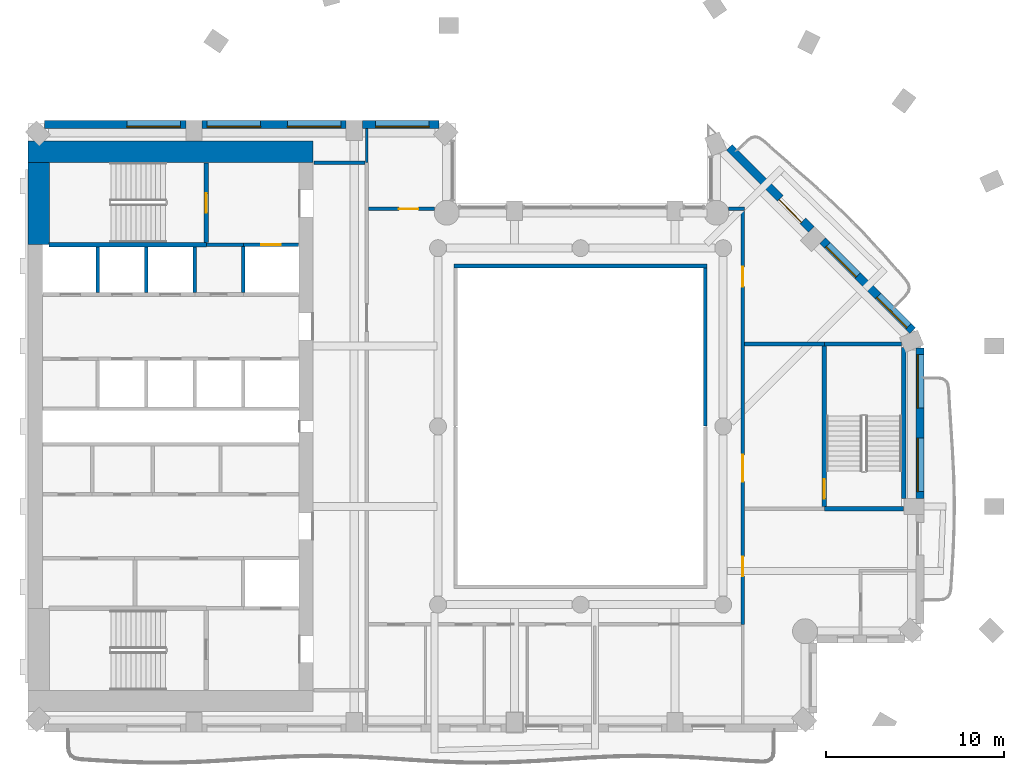
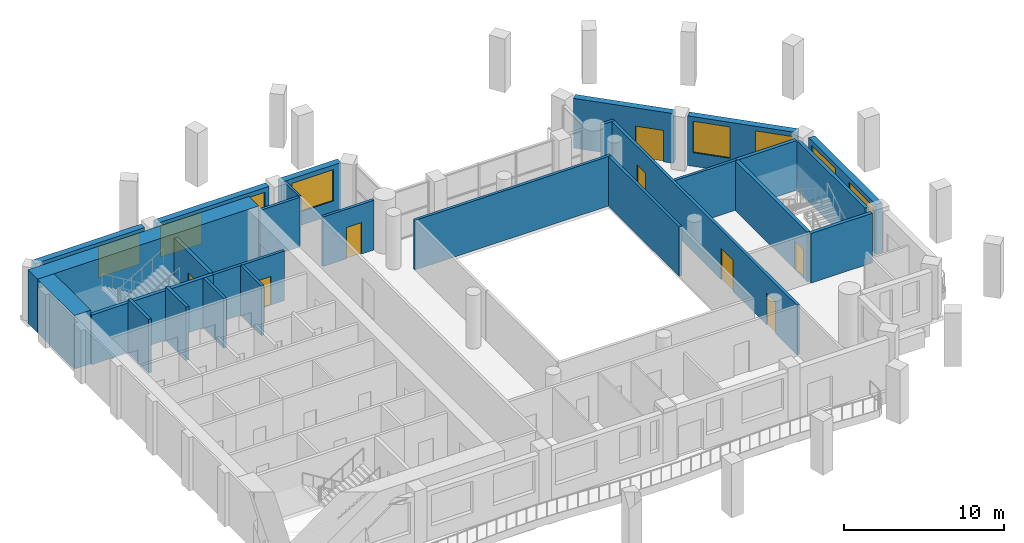
# One storey, part 6 of 13: 28 walls, 8 doors, 8 windows, 16 openings.
"""IFC4 building model written with IfcOpenShell, lengths in metres."""

from ifc_helpers import new_model, si_unit, direction, frame, frame_2d, origin, place, context, subcontext, project, spatial, rectangle, extrude, material, layer, layer_set, type_object, element, fill, save


model = new_model("IFC4")

# Units and contexts
model_context = context("Model", 3, precision=1e-05, world=origin(), true_north=direction((0.0, 1.0)))
body_context = subcontext(model_context, "Body", "Model", "MODEL_VIEW")
ifc_project = project(units=[si_unit("LENGTHUNIT", "METRE"), si_unit("AREAUNIT", "SQUARE_METRE"), si_unit("VOLUMEUNIT", "CUBIC_METRE"), si_unit("PLANEANGLEUNIT", "RADIAN"), si_unit("MASSUNIT", "GRAM", prefix="KILO")], contexts=[model_context])

# Site, building, storey
site_placement = place(None, origin())
site = spatial("IfcSite", under=ifc_project, at=site_placement, CompositionType="ELEMENT")
building_placement = place(site_placement, origin())
building = spatial("IfcBuilding", under=site, at=building_placement, Name="Cypress Arch Tower", CompositionType="ELEMENT")
storey_placement = place(building_placement, frame((0.0, 0.0, 189.199951171875)))
storey = spatial("IfcBuildingStorey", under=building, at=storey_placement, Name="L41", CompositionType="ELEMENT", Elevation=189.199951171875)

# Wall, openings, windows
ifc_material_1 = material(Name="Brick (red buff blend)", Category="masonry")
ifc_layer_1 = layer(ifc_material_1, 0.449951171875)
ifc_layer_set_1 = layer_set([ifc_layer_1], Name="Brick pier and spandrel wall BW450")
wall_type_1 = type_object("IfcWallType", Name="Brick pier and spandrel wall BW450", PredefinedType="SOLIDWALL", material=ifc_layer_set_1)
wall_1_placement = place(storey_placement, frame((20.02490234375, -4.050048828125, 0.0), z_axis=(0.0, 0.0, 1.0), x_axis=(0.0, 1.0, 0.0)))
wall_1 = element("IfcWall", 1, at=wall_1_placement, inside=storey, type_object=wall_type_1, Name="Brick wall L41 B04.1", PredefinedType="SOLIDWALL", context=body_context, shape_type="SweptSolid", body=[
    extrude(rectangle(XDim=8.438720703125, YDim=0.449951171875, at=frame_2d((4.21923828125, 0.0))), origin(), (0.0, 0.0, 1.0), 3.800048828125),
])
opening_1_placement = place(wall_1_placement, frame((0.39404296875, 0.0, 1.050048828125)))
opening_1 = element("IfcOpeningElement", 2, at=opening_1_placement, cuts=wall_1, Name="Opening W300OD", PredefinedType="OPENING", context=body_context, shape_type="SweptSolid", body=[
    extrude(rectangle(XDim=3.0, YDim=2.39990234375, at=frame_2d((1.5, 1.199951171875))), frame((0.0, 0.23486328125, 0.0), z_axis=(0.0, -1.0, 0.0), x_axis=(1.0, 0.0, 0.0)), (0.0, 0.0, 1.0), 0.469970703125),
])
opening_2_placement = place(wall_1_placement, frame((5.081787109375, 0.0, 1.050048828125)))
opening_2 = element("IfcOpeningElement", 3, at=opening_2_placement, cuts=wall_1, Name="Opening W300OD", PredefinedType="OPENING", context=body_context, shape_type="SweptSolid", body=[
    extrude(rectangle(XDim=3.0, YDim=2.39990234375, at=frame_2d((1.5, 1.199951171875))), frame((0.0, 0.23486328125, 0.0), z_axis=(0.0, -1.0, 0.0), x_axis=(1.0, 0.0, 0.0)), (0.0, 0.0, 1.0), 0.469970703125),
])
ifc_material_2 = material(Name="Anodised aluminium, bronze finish, laminated low-emissivity double glazing, large-missile impact rated", Category="aluminium")
window_type_1 = type_object("IfcWindowType", Name="Window Office 3000x2400 debris-rated", PartitioningType="SINGLE_PANEL", PredefinedType="WINDOW", material=ifc_material_2)
window_1_placement = place(opening_1_placement, origin())
window_1 = element("IfcWindow", 4, at=window_1_placement, inside=storey, type_object=window_type_1, Name="Window L41 B04.1.1", OverallHeight=2.39990234375, OverallWidth=3.0, PartitioningType="SINGLE_PANEL", PredefinedType="WINDOW", context=body_context, shape_type="SweptSolid", body=[
    extrude(rectangle(XDim=3.0, YDim=2.39990234375, at=frame_2d((1.5, 1.199951171875))), frame((0.0, 0.135009765625, 0.0), z_axis=(0.0, -1.0, 0.0), x_axis=(1.0, 0.0, 0.0)), (0.0, 0.0, 1.0), 0.06005859375),
])
fill(opening_1, window_1)
window_2_placement = place(opening_2_placement, origin())
window_2 = element("IfcWindow", 5, at=window_2_placement, inside=storey, type_object=window_type_1, Name="Window L41 B04.1.2", OverallHeight=2.39990234375, OverallWidth=3.0, PartitioningType="SINGLE_PANEL", PredefinedType="WINDOW", context=body_context, shape_type="SweptSolid", body=[
    extrude(rectangle(XDim=3.0, YDim=2.39990234375, at=frame_2d((1.5, 1.199951171875))), frame((0.0, 0.135009765625, 0.0), z_axis=(0.0, -1.0, 0.0), x_axis=(1.0, 0.0, 0.0)), (0.0, 0.0, 1.0), 0.06005859375),
])
fill(opening_2, window_2)

wall_2_placement = place(storey_placement, frame((19.61474609375, 5.379150390625, 0.0), z_axis=(0.0, 0.0, 1.0), x_axis=(-0.707089646058, 0.7071239159, 0.0)))
wall_2 = element("IfcWall", 6, at=wall_2_placement, inside=storey, type_object=wall_type_1, Name="Brick wall L41 B05.0", PredefinedType="SOLIDWALL", context=body_context, shape_type="SweptSolid", body=[
    extrude(rectangle(XDim=7.1240234375, YDim=0.449951171875, at=frame_2d((3.56201171875, 0.0))), origin(), (0.0, 0.0, 1.0), 3.800048828125),
])
opening_3_placement = place(wall_2_placement, frame((0.328125, 0.0, 1.050048828125)))
opening_3 = element("IfcOpeningElement", 7, at=opening_3_placement, cuts=wall_2, Name="Opening W240OD", PredefinedType="OPENING", context=body_context, shape_type="SweptSolid", body=[
    extrude(rectangle(XDim=2.39990234375, YDim=2.39990234375, at=frame_2d((1.199951171875, 1.199951171875))), frame((0.0, 0.23486328125, 0.0), z_axis=(0.0, -1.0, 0.0), x_axis=(1.0, 0.0, 0.0)), (0.0, 0.0, 1.0), 0.469970703125),
])
opening_4_placement = place(wall_2_placement, frame((4.358642578125, 0.0, 1.050048828125)))
opening_4 = element("IfcOpeningElement", 8, at=opening_4_placement, cuts=wall_2, Name="Opening W240OD", PredefinedType="OPENING", context=body_context, shape_type="SweptSolid", body=[
    extrude(rectangle(XDim=2.39990234375, YDim=2.39990234375, at=frame_2d((1.199951171875, 1.199951171875))), frame((0.0, 0.23486328125, 0.0), z_axis=(0.0, -1.0, 0.0), x_axis=(1.0, 0.0, 0.0)), (0.0, 0.0, 1.0), 0.469970703125),
])
ifc_material_3 = material(Name="Anodised aluminium, bronze finish, laminated low-emissivity double glazing, large-missile impact rated", Category="aluminium")
window_type_2 = type_object("IfcWindowType", Name="Window Office 2400x2400 debris-rated", PartitioningType="SINGLE_PANEL", PredefinedType="WINDOW", material=ifc_material_3)
window_3_placement = place(opening_3_placement, origin())
window_3 = element("IfcWindow", 9, at=window_3_placement, inside=storey, type_object=window_type_2, Name="Window L41 B05.0.1", OverallHeight=2.39990234375, OverallWidth=2.39990234375, PartitioningType="SINGLE_PANEL", PredefinedType="WINDOW", context=body_context, shape_type="SweptSolid", body=[
    extrude(rectangle(XDim=2.39990234375, YDim=2.39990234375, at=frame_2d((1.199951171875, 1.199951171875))), frame((0.0, 0.135009765625, 0.0), z_axis=(0.0, -1.0, 0.0), x_axis=(1.0, 0.0, 0.0)), (0.0, 0.0, 1.0), 0.06005859375),
])
fill(opening_3, window_3)
window_4_placement = place(opening_4_placement, origin())
window_4 = element("IfcWindow", 10, at=window_4_placement, inside=storey, type_object=window_type_2, Name="Window L41 B05.0.2", OverallHeight=2.39990234375, OverallWidth=2.39990234375, PartitioningType="SINGLE_PANEL", PredefinedType="WINDOW", context=body_context, shape_type="SweptSolid", body=[
    extrude(rectangle(XDim=2.39990234375, YDim=2.39990234375, at=frame_2d((1.199951171875, 1.199951171875))), frame((0.0, 0.135009765625, 0.0), z_axis=(0.0, -1.0, 0.0), x_axis=(1.0, 0.0, 0.0)), (0.0, 0.0, 1.0), 0.06005859375),
])
fill(opening_4, window_4)

# Wall, opening, door
wall_3_placement = place(storey_placement, frame((13.94091796875, 11.052978515625, 0.0), z_axis=(0.0, 0.0, 1.0), x_axis=(-0.707106781187, 0.707106781187, 0.0)))
wall_3 = element("IfcWall", 11, at=wall_3_placement, inside=storey, type_object=wall_type_1, Name="Brick wall L41 B05.1", PredefinedType="SOLIDWALL", context=body_context, shape_type="SweptSolid", body=[
    extrude(rectangle(XDim=6.505126953125, YDim=0.449951171875, at=frame_2d((3.25244140625, 0.0))), origin(), (0.0, 0.0, 1.0), 3.800048828125),
])
opening_5_placement = place(wall_3_placement, frame((0.665283203125, 0.0, 0.0)))
opening_5 = element("IfcOpeningElement", 12, at=opening_5_placement, cuts=wall_3, Name="Opening D-L41-B05.1.1", PredefinedType="OPENING", context=body_context, shape_type="SweptSolid", body=[
    extrude(rectangle(XDim=1.800048828125, YDim=2.39990234375, at=frame_2d((0.89990234375, 1.199951171875))), frame((0.0, 0.23486328125, 0.0), z_axis=(0.0, -1.0, 0.0), x_axis=(1.0, 0.0, 0.0)), (0.0, 0.0, 1.0), 0.469970703125),
])
ifc_material_4 = material(Name="Anodised aluminium, bronze finish, laminated low-emissivity double glazing, large-missile impact rated", Category="aluminium")
door_type_1 = type_object("IfcDoorType", Name="Balcony sliding door 1800x2400", OperationType="SLIDING_TO_LEFT", PredefinedType="DOOR", material=ifc_material_4)
door_1_placement = place(opening_5_placement, origin())
door_1 = element("IfcDoor", 13, at=door_1_placement, inside=storey, type_object=door_type_1, Name="Balcony door L41 B05.1.1", OperationType="SLIDING_TO_LEFT", OverallHeight=2.39990234375, OverallWidth=1.800048828125, PredefinedType="DOOR", context=body_context, shape_type="SweptSolid", body=[
    extrude(rectangle(XDim=1.800048828125, YDim=2.39990234375, at=frame_2d((0.89990234375, 1.199951171875))), frame((0.0, 0.1298828125, 0.0), z_axis=(0.0, -1.0, 0.0), x_axis=(1.0, 0.0, 0.0)), (0.0, 0.0, 1.0), 0.050048828125),
])
fill(opening_5, door_1)

# Wall, opening, window
wall_4_placement = place(storey_placement, frame((-6.936279296875, 16.925048828125, 0.0), z_axis=(0.0, 0.0, 1.0), x_axis=(-1.0, 0.0, 0.0)))
wall_4 = element("IfcWall", 14, at=wall_4_placement, inside=storey, type_object=wall_type_1, Name="Brick wall L41 B09.0", PredefinedType="SOLIDWALL", context=body_context, shape_type="SweptSolid", body=[
    extrude(rectangle(XDim=4.313720703125, YDim=0.449951171875, at=frame_2d((2.15673828125, 0.0))), origin(), (0.0, 0.0, 1.0), 3.800048828125),
])
opening_6_placement = place(wall_4_placement, frame((0.563720703125, 0.0, 1.050048828125)))
opening_6 = element("IfcOpeningElement", 15, at=opening_6_placement, cuts=wall_4, Name="Opening W300O", PredefinedType="OPENING", context=body_context, shape_type="SweptSolid", body=[
    extrude(rectangle(XDim=3.0, YDim=2.39990234375, at=frame_2d((1.5, 1.199951171875))), frame((0.0, 0.23486328125, 0.0), z_axis=(0.0, -1.0, 0.0), x_axis=(1.0, 0.0, 0.0)), (0.0, 0.0, 1.0), 0.469970703125),
])
ifc_material_5 = material(Name="Anodised aluminium, bronze finish, clear low-emissivity double glazing", Category="aluminium")
window_type_3 = type_object("IfcWindowType", Name="Window Office 3000x2400", PartitioningType="SINGLE_PANEL", PredefinedType="WINDOW", material=ifc_material_5)
window_5_placement = place(opening_6_placement, origin())
window_5 = element("IfcWindow", 16, at=window_5_placement, inside=storey, type_object=window_type_3, Name="Window L41 B09.0.1", OverallHeight=2.39990234375, OverallWidth=3.0, PartitioningType="SINGLE_PANEL", PredefinedType="WINDOW", context=body_context, shape_type="SweptSolid", body=[
    extrude(rectangle(XDim=3.0, YDim=2.39990234375, at=frame_2d((1.5, 1.199951171875))), frame((0.0, 0.135009765625, 0.0), z_axis=(0.0, -1.0, 0.0), x_axis=(1.0, 0.0, 0.0)), (0.0, 0.0, 1.0), 0.06005859375),
])
fill(opening_6, window_5)

# Wall, openings, windows
wall_5_placement = place(storey_placement, frame((-12.14990234375, 16.925048828125, 0.0), z_axis=(0.0, 0.0, 1.0), x_axis=(-1.0, 0.0, 0.0)))
wall_5 = element("IfcWall", 17, at=wall_5_placement, inside=storey, type_object=wall_type_1, Name="Brick wall L41 B09.1", PredefinedType="SOLIDWALL", context=body_context, shape_type="SweptSolid", body=[
    extrude(rectangle(XDim=8.10009765625, YDim=0.449951171875, at=frame_2d((4.050048828125, 0.0))), origin(), (0.0, 0.0, 1.0), 3.800048828125),
])
opening_7_placement = place(wall_5_placement, frame((0.300048828125, 0.0, 1.050048828125)))
opening_7 = element("IfcOpeningElement", 18, at=opening_7_placement, cuts=wall_5, Name="Opening W300O", PredefinedType="OPENING", context=body_context, shape_type="SweptSolid", body=[
    extrude(rectangle(XDim=3.0, YDim=2.39990234375, at=frame_2d((1.5, 1.199951171875))), frame((0.0, 0.23486328125, 0.0), z_axis=(0.0, -1.0, 0.0), x_axis=(1.0, 0.0, 0.0)), (0.0, 0.0, 1.0), 0.469970703125),
])
opening_8_placement = place(wall_5_placement, frame((4.800048828125, 0.0, 1.050048828125)))
opening_8 = element("IfcOpeningElement", 19, at=opening_8_placement, cuts=wall_5, Name="Opening W300O", PredefinedType="OPENING", context=body_context, shape_type="SweptSolid", body=[
    extrude(rectangle(XDim=3.0, YDim=2.39990234375, at=frame_2d((1.5, 1.199951171875))), frame((0.0, 0.23486328125, 0.0), z_axis=(0.0, -1.0, 0.0), x_axis=(1.0, 0.0, 0.0)), (0.0, 0.0, 1.0), 0.469970703125),
])
window_6_placement = place(opening_7_placement, origin())
window_6 = element("IfcWindow", 20, at=window_6_placement, inside=storey, type_object=window_type_3, Name="Window L41 B09.1.1", OverallHeight=2.39990234375, OverallWidth=3.0, PartitioningType="SINGLE_PANEL", PredefinedType="WINDOW", context=body_context, shape_type="SweptSolid", body=[
    extrude(rectangle(XDim=3.0, YDim=2.39990234375, at=frame_2d((1.5, 1.199951171875))), frame((0.0, 0.135009765625, 0.0), z_axis=(0.0, -1.0, 0.0), x_axis=(1.0, 0.0, 0.0)), (0.0, 0.0, 1.0), 0.06005859375),
])
fill(opening_7, window_6)
window_7_placement = place(opening_8_placement, origin())
window_7 = element("IfcWindow", 21, at=window_7_placement, inside=storey, type_object=window_type_3, Name="Window L41 B09.1.2", OverallHeight=2.39990234375, OverallWidth=3.0, PartitioningType="SINGLE_PANEL", PredefinedType="WINDOW", context=body_context, shape_type="SweptSolid", body=[
    extrude(rectangle(XDim=3.0, YDim=2.39990234375, at=frame_2d((1.5, 1.199951171875))), frame((0.0, 0.135009765625, 0.0), z_axis=(0.0, -1.0, 0.0), x_axis=(1.0, 0.0, 0.0)), (0.0, 0.0, 1.0), 0.06005859375),
])
fill(opening_8, window_7)

# Wall, opening, window
wall_6_placement = place(storey_placement, frame((-21.14990234375, 16.925048828125, 0.0), z_axis=(0.0, 0.0, 1.0), x_axis=(-1.0, 0.0, 0.0)))
wall_6 = element("IfcWall", 22, at=wall_6_placement, inside=storey, type_object=wall_type_1, Name="Brick wall L41 B09.2", PredefinedType="SOLIDWALL", context=body_context, shape_type="SweptSolid", body=[
    extrude(rectangle(XDim=7.913818359375, YDim=0.449951171875, at=frame_2d((3.95703125, 0.0))), origin(), (0.0, 0.0, 1.0), 3.800048828125),
])
opening_9_placement = place(wall_6_placement, frame((0.300048828125, 0.0, 1.050048828125)))
opening_9 = element("IfcOpeningElement", 23, at=opening_9_placement, cuts=wall_6, Name="Opening W300O", PredefinedType="OPENING", context=body_context, shape_type="SweptSolid", body=[
    extrude(rectangle(XDim=3.0, YDim=2.39990234375, at=frame_2d((1.5, 1.199951171875))), frame((0.0, 0.23486328125, 0.0), z_axis=(0.0, -1.0, 0.0), x_axis=(1.0, 0.0, 0.0)), (0.0, 0.0, 1.0), 0.469970703125),
])
window_8_placement = place(opening_9_placement, origin())
window_8 = element("IfcWindow", 24, at=window_8_placement, inside=storey, type_object=window_type_3, Name="Window L41 B09.2.1", OverallHeight=2.39990234375, OverallWidth=3.0, PartitioningType="SINGLE_PANEL", PredefinedType="WINDOW", context=body_context, shape_type="SweptSolid", body=[
    extrude(rectangle(XDim=3.0, YDim=2.39990234375, at=frame_2d((1.5, 1.199951171875))), frame((0.0, 0.135009765625, 0.0), z_axis=(0.0, -1.0, 0.0), x_axis=(1.0, 0.0, 0.0)), (0.0, 0.0, 1.0), 0.06005859375),
])
fill(opening_9, window_8)

# Walls
ifc_material_6 = material(Name="Concrete C70/85", Category="concrete")
ifc_layer_2 = layer(ifc_material_6, 1.199951171875)
ifc_layer_set_2 = layer_set([ifc_layer_2], Name="Core wall CW1200 C70/85")
wall_type_2 = type_object("IfcWallType", Name="Core wall CW1200 C70/85", PredefinedType="SHEAR", material=ifc_layer_set_2)
wall_7_placement = place(storey_placement, frame((-30.0, 15.39990234375, 0.0), z_axis=(0.0, 0.0, 1.0), x_axis=(1.0, 0.0, 0.0)))
element("IfcWall", 25, at=wall_7_placement, inside=storey, type_object=wall_type_2, Name="Core wall", PredefinedType="SHEAR", context=body_context, shape_type="SweptSolid", body=[
    extrude(rectangle(XDim=16.0, YDim=1.199951171875, at=frame_2d((8.0, 0.0))), origin(), (0.0, 0.0, 1.0), 4.10009765625),
])
wall_8_placement = place(storey_placement, frame((-29.39990234375, 10.199951171875, 0.0), z_axis=(0.0, 0.0, 1.0), x_axis=(0.0, 1.0, 0.0)))
element("IfcWall", 26, at=wall_8_placement, inside=storey, type_object=wall_type_2, Name="Core wall", PredefinedType="SHEAR", context=body_context, shape_type="SweptSolid", body=[
    extrude(rectangle(XDim=4.60009765625, YDim=1.199951171875, at=frame_2d((2.300048828125, 0.0))), origin(), (0.0, 0.0, 1.0), 4.10009765625),
])
ifc_material_7 = material(Name="Concrete blockwork, plastered, rated", Category="masonry")
ifc_layer_3 = layer(ifc_material_7, 0.199951171875)
ifc_layer_set_3 = layer_set([ifc_layer_3], Name="Corridor wall FW200")
wall_type_3 = type_object("IfcWallType", Name="Corridor wall FW200", PredefinedType="PARTITIONING", material=ifc_layer_set_3)
wall_9_placement = place(storey_placement, frame((-20.0, 10.199951171875, 0.0), z_axis=(0.0, 0.0, 1.0), x_axis=(1.0, 0.0, 0.0)))
element("IfcWall", 27, at=wall_9_placement, inside=storey, type_object=wall_type_3, Name="Corridor wall", PredefinedType="PARTITIONING", context=body_context, shape_type="SweptSolid", body=[
    extrude(rectangle(XDim=2.080078125, YDim=0.199951171875, at=frame_2d((1.0400390625, 0.0))), origin(), (0.0, 0.0, 1.0), 3.800048828125),
])
wall_10_placement = place(storey_placement, frame((-13.969970703125, 14.800048828125, 0.0), z_axis=(0.0, 0.0, 1.0), x_axis=(1.0, 0.0, 0.0)))
element("IfcWall", 28, at=wall_10_placement, inside=storey, type_object=wall_type_3, Name="Corridor wall", PredefinedType="PARTITIONING", context=body_context, shape_type="SweptSolid", body=[
    extrude(rectangle(XDim=2.869873046875, YDim=0.199951171875, at=frame_2d((1.43505859375, 0.0))), origin(), (0.0, 0.0, 1.0), 3.800048828125),
])

# Wall, opening, door
wall_11_placement = place(storey_placement, frame((-10.89990234375, 12.199951171875, 0.0), z_axis=(0.0, 0.0, 1.0), x_axis=(1.0, 0.0, 0.0)))
wall_11 = element("IfcWall", 29, at=wall_11_placement, inside=storey, type_object=wall_type_3, Name="Corridor wall", PredefinedType="PARTITIONING", context=body_context, shape_type="SweptSolid", body=[
    extrude(rectangle(XDim=3.7041015625, YDim=0.199951171875, at=frame_2d((1.85205078125, 0.0))), origin(), (0.0, 0.0, 1.0), 3.800048828125),
])
opening_10_placement = place(wall_11_placement, frame((1.699951171875, 0.0, 0.0)))
opening_10 = element("IfcOpeningElement", 30, at=opening_10_placement, cuts=wall_11, Name="Opening D01", PredefinedType="OPENING", context=body_context, shape_type="SweptSolid", body=[
    extrude(rectangle(XDim=1.10009765625, YDim=2.39990234375, at=frame_2d((0.550048828125, 1.199951171875))), frame((0.0, 0.10986328125, 0.0), z_axis=(0.0, -1.0, 0.0), x_axis=(1.0, 0.0, 0.0)), (0.0, 0.0, 1.0), 0.219970703125),
])
ifc_material_8 = material(Name="Timber flush door, fire resisting, self-closing", Category="wood")
door_type_2 = type_object("IfcDoorType", Name="Unit entrance door D01 1100x2400", OperationType="SINGLE_SWING_LEFT", PredefinedType="DOOR", material=ifc_material_8)
door_2_placement = place(opening_10_placement, origin())
door_2 = element("IfcDoor", 31, at=door_2_placement, inside=storey, type_object=door_type_2, Name="Unit entrance door", OperationType="SINGLE_SWING_RIGHT", OverallHeight=2.39990234375, OverallWidth=1.10009765625, PredefinedType="DOOR", context=body_context, shape_type="SweptSolid", body=[
    extrude(rectangle(XDim=1.10009765625, YDim=2.39990234375, at=frame_2d((0.550048828125, 1.199951171875))), frame((0.0, 0.02490234375, 0.0), z_axis=(0.0, -1.0, 0.0), x_axis=(1.0, 0.0, 0.0)), (0.0, 0.0, 1.0), 0.050048828125),
])
fill(opening_10, door_2)

# Walls
wall_12_placement = place(storey_placement, frame((-6.10009765625, 9.0, 0.0), z_axis=(0.0, 0.0, 1.0), x_axis=(1.0, 0.0, 0.0)))
element("IfcWall", 32, at=wall_12_placement, inside=storey, type_object=wall_type_3, Name="Corridor wall", PredefinedType="PARTITIONING", context=body_context, shape_type="SweptSolid", body=[
    extrude(rectangle(XDim=14.2001953125, YDim=0.199951171875, at=frame_2d((7.10009765625, 0.0))), origin(), (0.0, 0.0, 1.0), 3.800048828125),
])
wall_13_placement = place(storey_placement, frame((8.0, 0.02001953125, 0.0), z_axis=(0.0, 0.0, 1.0), x_axis=(0.0, 1.0, 0.0)))
element("IfcWall", 33, at=wall_13_placement, inside=storey, type_object=wall_type_3, Name="Corridor wall", PredefinedType="PARTITIONING", context=body_context, shape_type="SweptSolid", body=[
    extrude(rectangle(XDim=8.8798828125, YDim=0.199951171875, at=frame_2d((4.43994140625, 0.0))), origin(), (0.0, 0.0, 1.0), 3.800048828125),
])
wall_14_placement = place(storey_placement, frame((9.295654296875, 12.199951171875, 0.0), z_axis=(0.0, 0.0, 1.0), x_axis=(1.0, 0.0, 0.0)))
element("IfcWall", 34, at=wall_14_placement, inside=storey, type_object=wall_type_3, Name="Corridor wall", PredefinedType="PARTITIONING", context=body_context, shape_type="SweptSolid", body=[
    extrude(rectangle(XDim=0.904296875, YDim=0.199951171875, at=frame_2d((0.4521484375, 0.0))), origin(), (0.0, 0.0, 1.0), 3.800048828125),
])

# Wall, openings, doors
wall_15_placement = place(storey_placement, frame((10.10009765625, -11.10009765625, 0.0), z_axis=(0.0, 0.0, 1.0), x_axis=(0.0, 1.0, 0.0)))
wall_15 = element("IfcWall", 35, at=wall_15_placement, inside=storey, type_object=wall_type_3, Name="Corridor wall", PredefinedType="PARTITIONING", context=body_context, shape_type="SweptSolid", body=[
    extrude(rectangle(XDim=23.2001953125, YDim=0.199951171875, at=frame_2d((11.60009765625, 0.0))), origin(), (0.0, 0.0, 1.0), 3.800048828125),
])
opening_11_placement = place(wall_15_placement, frame((8.0, 0.0, 0.0)))
opening_11 = element("IfcOpeningElement", 36, at=opening_11_placement, cuts=wall_15, Name="Opening D07", PredefinedType="OPENING", context=body_context, shape_type="SweptSolid", body=[
    extrude(rectangle(XDim=1.5, YDim=2.39990234375, at=frame_2d((0.75, 1.199951171875))), frame((0.0, 0.10986328125, 0.0), z_axis=(0.0, -1.0, 0.0), x_axis=(1.0, 0.0, 0.0)), (0.0, 0.0, 1.0), 0.219970703125),
])
opening_12_placement = place(wall_15_placement, frame((18.949951171875, 0.0, 0.0)))
opening_12 = element("IfcOpeningElement", 37, at=opening_12_placement, cuts=wall_15, Name="Opening D01", PredefinedType="OPENING", context=body_context, shape_type="SweptSolid", body=[
    extrude(rectangle(XDim=1.10009765625, YDim=2.39990234375, at=frame_2d((0.550048828125, 1.199951171875))), frame((0.0, 0.10986328125, 0.0), z_axis=(0.0, -1.0, 0.0), x_axis=(1.0, 0.0, 0.0)), (0.0, 0.0, 1.0), 0.219970703125),
])
opening_13_placement = place(wall_15_placement, frame((2.699951171875, 0.0, 0.0)))
opening_13 = element("IfcOpeningElement", 38, at=opening_13_placement, cuts=wall_15, Name="Opening D01", PredefinedType="OPENING", context=body_context, shape_type="SweptSolid", body=[
    extrude(rectangle(XDim=1.10009765625, YDim=2.39990234375, at=frame_2d((0.550048828125, 1.199951171875))), frame((0.0, 0.10986328125, 0.0), z_axis=(0.0, -1.0, 0.0), x_axis=(1.0, 0.0, 0.0)), (0.0, 0.0, 1.0), 0.219970703125),
])
ifc_material_9 = material(Name="Steel framed glazed door, fire resisting", Category="steel")
door_type_3 = type_object("IfcDoorType", Name="Lobby door D07 1500x2400", OperationType="DOUBLE_DOOR_SINGLE_SWING", PredefinedType="DOOR", material=ifc_material_9)
door_3_placement = place(opening_11_placement, origin())
door_3 = element("IfcDoor", 39, at=door_3_placement, inside=storey, type_object=door_type_3, Name="Lobby door", OperationType="DOUBLE_DOOR_SINGLE_SWING", OverallHeight=2.39990234375, OverallWidth=1.5, PredefinedType="DOOR", context=body_context, shape_type="SweptSolid", body=[
    extrude(rectangle(XDim=1.5, YDim=2.39990234375, at=frame_2d((0.75, 1.199951171875))), frame((0.0, 0.02490234375, 0.0), z_axis=(0.0, -1.0, 0.0), x_axis=(1.0, 0.0, 0.0)), (0.0, 0.0, 1.0), 0.050048828125),
])
fill(opening_11, door_3)
door_4_placement = place(opening_12_placement, origin())
door_4 = element("IfcDoor", 40, at=door_4_placement, inside=storey, type_object=door_type_2, Name="Unit entrance door", OperationType="SINGLE_SWING_LEFT", OverallHeight=2.39990234375, OverallWidth=1.10009765625, PredefinedType="DOOR", context=body_context, shape_type="SweptSolid", body=[
    extrude(rectangle(XDim=1.10009765625, YDim=2.39990234375, at=frame_2d((0.550048828125, 1.199951171875))), frame((0.0, 0.02490234375, 0.0), z_axis=(0.0, -1.0, 0.0), x_axis=(1.0, 0.0, 0.0)), (0.0, 0.0, 1.0), 0.050048828125),
])
fill(opening_12, door_4)
door_5_placement = place(opening_13_placement, origin())
door_5 = element("IfcDoor", 41, at=door_5_placement, inside=storey, type_object=door_type_2, Name="Unit entrance door", OperationType="SINGLE_SWING_LEFT", OverallHeight=2.39990234375, OverallWidth=1.10009765625, PredefinedType="DOOR", context=body_context, shape_type="SweptSolid", body=[
    extrude(rectangle(XDim=1.10009765625, YDim=2.39990234375, at=frame_2d((0.550048828125, 1.199951171875))), frame((0.0, 0.02490234375, 0.0), z_axis=(0.0, -1.0, 0.0), x_axis=(1.0, 0.0, 0.0)), (0.0, 0.0, 1.0), 0.050048828125),
])
fill(opening_13, door_5)

# Walls
wall_16_placement = place(storey_placement, frame((10.199951171875, 4.625, 0.0), z_axis=(0.0, 0.0, 1.0), x_axis=(1.0, 0.0, 0.0)))
element("IfcWall", 42, at=wall_16_placement, inside=storey, type_object=wall_type_3, Name="Corridor wall", PredefinedType="PARTITIONING", context=body_context, shape_type="SweptSolid", body=[
    extrude(rectangle(XDim=4.47509765625, YDim=0.199951171875, at=frame_2d((2.237548828125, 0.0))), origin(), (0.0, 0.0, 1.0), 3.800048828125),
])
ifc_material_10 = material(Name="Blockwork, plastered both sides", Category="masonry")
ifc_layer_4 = layer(ifc_material_10, 0.14990234375)
ifc_layer_set_4 = layer_set([ifc_layer_4], Name="Partition PW150")
wall_type_4 = type_object("IfcWallType", Name="Partition PW150", PredefinedType="PARTITIONING", material=ifc_layer_set_4)
wall_17_placement = place(storey_placement, frame((-11.0, 14.820068359375, 0.0), z_axis=(0.0, 0.0, 1.0), x_axis=(0.0, 1.0, 0.0)))
element("IfcWall", 43, at=wall_17_placement, inside=storey, type_object=wall_type_4, Name="Partition", PredefinedType="PARTITIONING", context=body_context, shape_type="SweptSolid", body=[
    extrude(rectangle(XDim=1.8798828125, YDim=0.14990234375, at=frame_2d((0.93994140625, 0.0))), origin(), (0.0, 0.0, 1.0), 3.800048828125),
])
ifc_material_11 = material(Name="Concrete C50/60", Category="concrete")
ifc_layer_5 = layer(ifc_material_11, 0.199951171875)
ifc_layer_set_5 = layer_set([ifc_layer_5], Name="Shaft wall SH200")
wall_type_5 = type_object("IfcWallType", Name="Shaft wall SH200", PredefinedType="SHEAR", material=ifc_layer_set_5)
for number, where, z_axis, x_axis, name in (
    (44, (-26.080078125, 7.5, 0.0), (0.0, 0.0, 1.0), (0.0, 1.0, 0.0), "Shaft wall"),
    (45, (-23.360107421875, 7.5, 0.0), (0.0, 0.0, 1.0), (0.0, 1.0, 0.0), "Shaft wall"),
):
    element("IfcWall", number, at=place(storey_placement, frame(where, z_axis=z_axis, x_axis=x_axis)), inside=storey, type_object=wall_type_5, Name=name, PredefinedType="SHEAR", context=body_context, shape_type="SweptSolid", body=[
        extrude(rectangle(XDim=2.574951171875, YDim=0.199951171875, at=frame_2d((1.28759765625, 0.0))), origin(), (0.0, 0.0, 1.0), 4.10009765625),
    ])
wall_18_placement = place(storey_placement, frame((-20.639892578125, 7.5, 0.0), z_axis=(0.0, 0.0, 1.0), x_axis=(0.0, 1.0, 0.0)))
element("IfcWall", 46, at=wall_18_placement, inside=storey, type_object=wall_type_5, Name="Shaft wall", PredefinedType="SHEAR", context=body_context, shape_type="SweptSolid", body=[
    extrude(rectangle(XDim=2.574951171875, YDim=0.199951171875, at=frame_2d((1.28759765625, 0.0))), origin(), (0.0, 0.0, 1.0), 3.800048828125),
])
wall_19_placement = place(storey_placement, frame((-17.919921875, 7.5, 0.0), z_axis=(0.0, 0.0, 1.0), x_axis=(0.0, 1.0, 0.0)))
element("IfcWall", 47, at=wall_19_placement, inside=storey, type_object=wall_type_5, Name="Shaft wall", PredefinedType="SHEAR", context=body_context, shape_type="SweptSolid", body=[
    extrude(rectangle(XDim=2.60009765625, YDim=0.199951171875, at=frame_2d((1.300048828125, 0.0))), origin(), (0.0, 0.0, 1.0), 3.800048828125),
])

# Wall, opening, door
wall_20_placement = place(storey_placement, frame((-17.919921875, 10.199951171875, 0.0), z_axis=(0.0, 0.0, 1.0), x_axis=(1.0, 0.0, 0.0)))
wall_20 = element("IfcWall", 48, at=wall_20_placement, inside=storey, type_object=wall_type_5, Name="Shaft wall", PredefinedType="SHEAR", context=body_context, shape_type="SweptSolid", body=[
    extrude(rectangle(XDim=3.08984375, YDim=0.199951171875, at=frame_2d((1.544921875, 0.0))), origin(), (0.0, 0.0, 1.0), 3.800048828125),
])
opening_14_placement = place(wall_20_placement, frame((1.0, 0.0, 0.0)))
opening_14 = element("IfcOpeningElement", 49, at=opening_14_placement, cuts=wall_20, Name="Opening LD-FL2", PredefinedType="OPENING", context=body_context, shape_type="SweptSolid", body=[
    extrude(rectangle(XDim=1.10009765625, YDim=2.199951171875, at=frame_2d((0.550048828125, 1.10009765625))), frame((0.0, 0.10986328125, 0.0), z_axis=(0.0, -1.0, 0.0), x_axis=(1.0, 0.0, 0.0)), (0.0, 0.0, 1.0), 0.219970703125),
])
ifc_material_12 = material(Name="Stainless steel centre-opening landing door, rated", Category="steel")
door_type_4 = type_object("IfcDoorType", Name="Lift landing door LD 1100x2200", OperationType="DOUBLE_DOOR_SLIDING", PredefinedType="DOOR", material=ifc_material_12)
door_6_placement = place(opening_14_placement, origin())
door_6 = element("IfcDoor", 50, at=door_6_placement, inside=storey, type_object=door_type_4, Name="Lift landing doors FL2", OperationType="DOUBLE_DOOR_SLIDING", OverallHeight=2.199951171875, OverallWidth=1.10009765625, PredefinedType="DOOR", context=body_context, shape_type="SweptSolid", body=[
    extrude(rectangle(XDim=1.10009765625, YDim=2.199951171875, at=frame_2d((0.550048828125, 1.10009765625))), frame((0.0, 0.02490234375, 0.0), z_axis=(0.0, -1.0, 0.0), x_axis=(1.0, 0.0, 0.0)), (0.0, 0.0, 1.0), 0.050048828125),
])
fill(opening_14, door_6)

# Wall
ifc_material_13 = material(Name="Concrete C50/60", Category="concrete")
ifc_layer_6 = layer(ifc_material_13, 0.25)
ifc_layer_set_6 = layer_set([ifc_layer_6], Name="Stair enclosure wall SW250")
wall_type_6 = type_object("IfcWallType", Name="Stair enclosure wall SW250", PredefinedType="SHEAR", material=ifc_layer_set_6)
wall_21_placement = place(storey_placement, frame((-28.81005859375, 10.199951171875, 0.0), z_axis=(0.0, 0.0, 1.0), x_axis=(1.0, 0.0, 0.0)))
element("IfcWall", 51, at=wall_21_placement, inside=storey, type_object=wall_type_6, Name="Stair enclosure wall", PredefinedType="SHEAR", context=body_context, shape_type="SweptSolid", body=[
    extrude(rectangle(XDim=8.81005859375, YDim=0.25, at=frame_2d((4.405029296875, 0.0))), origin(), (0.0, 0.0, 1.0), 3.800048828125),
])

# Wall, opening, door
wall_22_placement = place(storey_placement, frame((-20.0, 10.324951171875, 0.0), z_axis=(0.0, 0.0, 1.0), x_axis=(0.0, 1.0, 0.0)))
wall_22 = element("IfcWall", 52, at=wall_22_placement, inside=storey, type_object=wall_type_6, Name="Stair enclosure wall", PredefinedType="SHEAR", context=body_context, shape_type="SweptSolid", body=[
    extrude(rectangle(XDim=4.445068359375, YDim=0.25, at=frame_2d((2.22265625, 0.0))), origin(), (0.0, 0.0, 1.0), 3.800048828125),
])
opening_15_placement = place(wall_22_placement, frame((1.64990234375, 0.0, 0.0)))
opening_15 = element("IfcOpeningElement", 53, at=opening_15_placement, cuts=wall_22, Name="Opening D06", PredefinedType="OPENING", context=body_context, shape_type="SweptSolid", body=[
    extrude(rectangle(XDim=1.10009765625, YDim=2.199951171875, at=frame_2d((0.550048828125, 1.10009765625))), frame((0.0, 0.135009765625, 0.0), z_axis=(0.0, -1.0, 0.0), x_axis=(1.0, 0.0, 0.0)), (0.0, 0.0, 1.0), 0.27001953125),
])
ifc_material_14 = material(Name="Steel door, fire resisting, panic bar", Category="steel")
door_type_5 = type_object("IfcDoorType", Name="Stair door D06 1100x2200", OperationType="SINGLE_SWING_LEFT", PredefinedType="DOOR", material=ifc_material_14)
door_7_placement = place(opening_15_placement, origin())
door_7 = element("IfcDoor", 54, at=door_7_placement, inside=storey, type_object=door_type_5, Name="Stair door", OperationType="SINGLE_SWING_LEFT", OverallHeight=2.199951171875, OverallWidth=1.10009765625, PredefinedType="DOOR", context=body_context, shape_type="SweptSolid", body=[
    extrude(rectangle(XDim=1.10009765625, YDim=2.199951171875, at=frame_2d((0.550048828125, 1.10009765625))), frame((0.0, 0.02490234375, 0.0), z_axis=(0.0, -1.0, 0.0), x_axis=(1.0, 0.0, 0.0)), (0.0, 0.0, 1.0), 0.050048828125),
])
fill(opening_15, door_7)

wall_23_placement = place(storey_placement, frame((14.675048828125, -4.5, 0.0), z_axis=(0.0, 0.0, 1.0), x_axis=(0.0, 1.0, 0.0)))
wall_23 = element("IfcWall", 55, at=wall_23_placement, inside=storey, type_object=wall_type_6, Name="Stair enclosure wall", PredefinedType="SHEAR", context=body_context, shape_type="SweptSolid", body=[
    extrude(rectangle(XDim=9.0, YDim=0.25, at=frame_2d((4.5, 0.0))), origin(), (0.0, 0.0, 1.0), 3.800048828125),
])
opening_16_placement = place(wall_23_placement, frame((0.449951171875, 0.0, 0.0)))
opening_16 = element("IfcOpeningElement", 56, at=opening_16_placement, cuts=wall_23, Name="Opening D06", PredefinedType="OPENING", context=body_context, shape_type="SweptSolid", body=[
    extrude(rectangle(XDim=1.10009765625, YDim=2.199951171875, at=frame_2d((0.550048828125, 1.10009765625))), frame((0.0, 0.135009765625, 0.0), z_axis=(0.0, -1.0, 0.0), x_axis=(1.0, 0.0, 0.0)), (0.0, 0.0, 1.0), 0.27001953125),
])
door_8_placement = place(opening_16_placement, origin())
door_8 = element("IfcDoor", 57, at=door_8_placement, inside=storey, type_object=door_type_5, Name="Stair door", OperationType="SINGLE_SWING_RIGHT", OverallHeight=2.199951171875, OverallWidth=1.10009765625, PredefinedType="DOOR", context=body_context, shape_type="SweptSolid", body=[
    extrude(rectangle(XDim=1.10009765625, YDim=2.199951171875, at=frame_2d((0.550048828125, 1.10009765625))), frame((0.0, 0.02490234375, 0.0), z_axis=(0.0, -1.0, 0.0), x_axis=(1.0, 0.0, 0.0)), (0.0, 0.0, 1.0), 0.050048828125),
])
fill(opening_16, door_8)

# Walls
wall_24_placement = place(storey_placement, frame((14.675048828125, -4.625, 0.0), z_axis=(0.0, 0.0, 1.0), x_axis=(1.0, 0.0, 0.0)))
element("IfcWall", 58, at=wall_24_placement, inside=storey, type_object=wall_type_6, Name="Stair enclosure wall", PredefinedType="SHEAR", context=body_context, shape_type="SweptSolid", body=[
    extrude(rectangle(XDim=4.449951171875, YDim=0.25, at=frame_2d((2.22509765625, 0.0))), origin(), (0.0, 0.0, 1.0), 3.800048828125),
])
wall_25_placement = place(storey_placement, frame((14.675048828125, 4.625, 0.0), z_axis=(0.0, 0.0, 1.0), x_axis=(1.0, 0.0, 0.0)))
element("IfcWall", 59, at=wall_25_placement, inside=storey, type_object=wall_type_6, Name="Stair enclosure wall", PredefinedType="SHEAR", context=body_context, shape_type="SweptSolid", body=[
    extrude(rectangle(XDim=4.32373046875, YDim=0.25, at=frame_2d((2.161865234375, 0.0))), origin(), (0.0, 0.0, 1.0), 3.800048828125),
])
wall_26_placement = place(storey_placement, frame((19.125, -4.050048828125, 0.0), z_axis=(0.0, 0.0, 1.0), x_axis=(0.0, 1.0, 0.0)))
element("IfcWall", 60, at=wall_26_placement, inside=storey, type_object=wall_type_6, Name="Stair enclosure wall", PredefinedType="SHEAR", context=body_context, shape_type="SweptSolid", body=[
    extrude(rectangle(XDim=8.4765625, YDim=0.25, at=frame_2d((4.23828125, 0.0))), origin(), (0.0, 0.0, 1.0), 3.800048828125),
])

save(model, "model.ifc")
